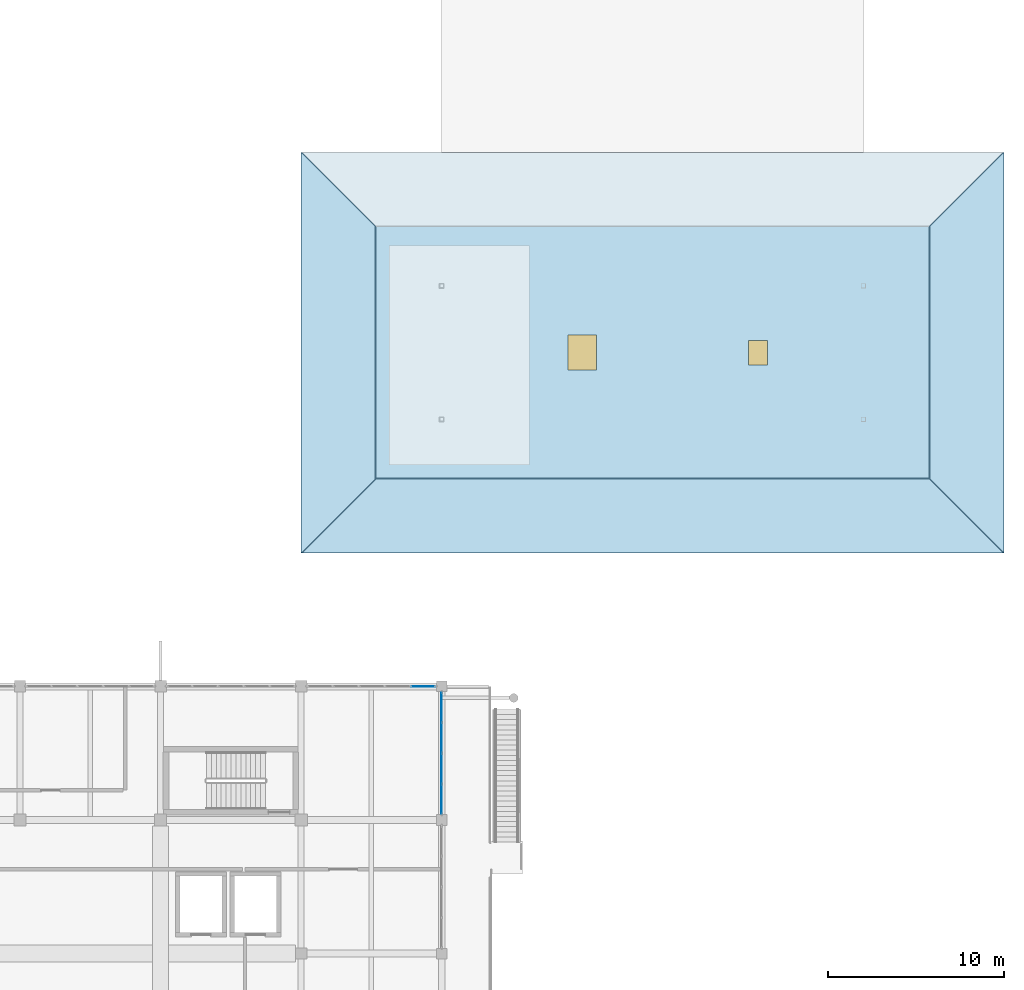
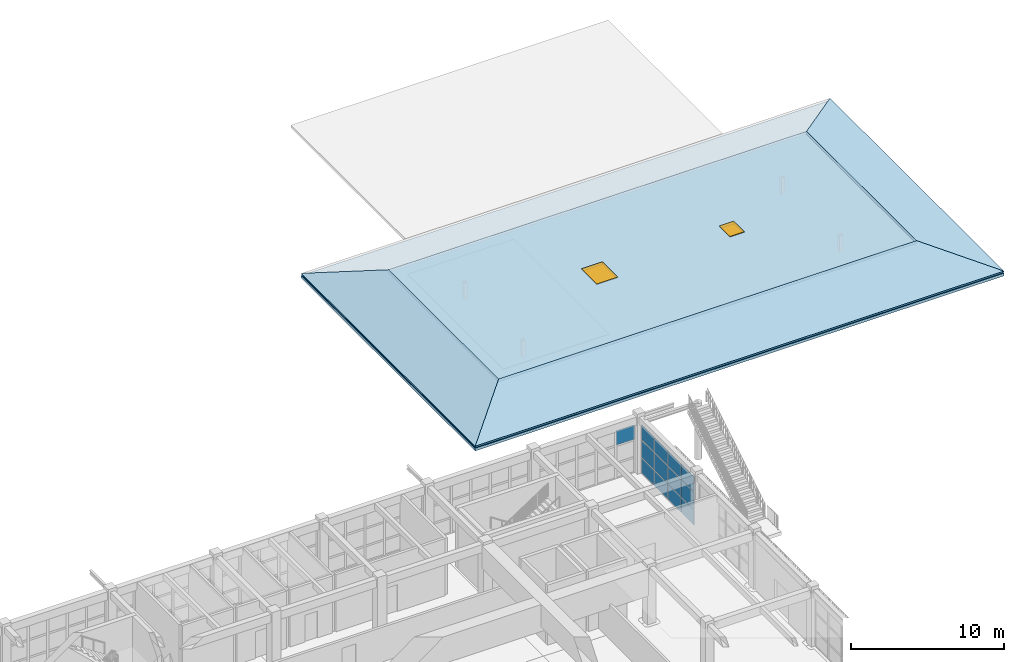
# One storey, part 34 of 50: 13 plates, 5 slabs, 1 door, 1 window, 2 openings, 3 elements without a shape of their own.
"""IFC4 building model written with IfcOpenShell, lengths in metres."""

from ifc_helpers import new_model, si_unit, direction, frame, origin, origin_2d, place, context, subcontext, project, spatial, polyline, rectangle, outline, extrude, material, layer, layer_set, type_object, element, fill, aggregate, save


model = new_model("IFC4")

# Units and contexts
model_context = context("Model", 3, precision=1e-05, world=origin(), true_north=direction((0.0, 1.0)))
body_context = subcontext(model_context, "Body", "Model", "MODEL_VIEW")
ifc_project = project(units=[si_unit("LENGTHUNIT", "METRE"), si_unit("AREAUNIT", "SQUARE_METRE"), si_unit("VOLUMEUNIT", "CUBIC_METRE"), si_unit("PLANEANGLEUNIT", "RADIAN"), si_unit("MASSUNIT", "GRAM", prefix="KILO")], contexts=[model_context])

# Site, building, storey
site_placement = place(None, origin())
site = spatial("IfcSite", under=ifc_project, at=site_placement, CompositionType="ELEMENT")
building_placement = place(site_placement, origin())
building = spatial("IfcBuilding", under=site, at=building_placement, Name="Zantavel Square City Hall", CompositionType="ELEMENT")
storey_placement = place(building_placement, frame((0.0, 0.0, 18.89990234375)))
storey = spatial("IfcBuildingStorey", under=building, at=storey_placement, Name="L05", CompositionType="ELEMENT", Elevation=18.89990234375)

# Roof, slab, openings, window, door
ifc_material_1 = material(Name="Patinated copper-zinc standing seam", Category="aluminium")
roof_type = type_object("IfcRoofType", Name="Copper-Zinc Mansard Roof Assembly", PredefinedType="MANSARD_ROOF", material=ifc_material_1)
roof_placement = place(storey_placement, origin())
roof = element("IfcRoof", 1, at=roof_placement, inside=storey, type_object=roof_type, Name="L05 Copper-Zinc Mansard Roof ROOF-V4-MANSARD", PredefinedType="MANSARD_ROOF")
ifc_material_2 = material(Name="Concrete C35/45", Category="concrete")
ifc_layer_1 = layer(ifc_material_2, 0.219970703125, Name="Concrete C35/45")
ifc_layer_set_1 = layer_set([ifc_layer_1], Name="Concrete C35/45")
slab_type_1 = type_object("IfcSlabType", Name="Insulated Flat Roof Slab 220mm C35/45", PredefinedType="ROOF", material=ifc_layer_set_1)
slab_1_placement = place(storey_placement, frame((0.0, 0.0, 1.29296875)))
slab_1 = element("IfcSlab", 2, at=slab_1_placement, type_object=slab_type_1, Name="ROOF-V4-MANSARD Mansard Crown Roof Slab", PredefinedType="ROOF", context=body_context, shape_type="SweptSolid", body=[
    extrude(outline(polyline([(108.179931640625, 80.179931640625), (139.820068359375, 80.179931640625), (139.820068359375, 94.6201171875), (108.179931640625, 94.6201171875), (108.179931640625, 80.179931640625)])), origin(), (0.0, 0.0, 1.0), 0.219970703125),
])
opening_1_placement = place(slab_1_placement, frame((120.0, 87.39990234375, 0.0)))
opening_1 = element("IfcOpeningElement", 3, at=opening_1_placement, cuts=slab_1, Name="Opening SK-07", PredefinedType="OPENING", context=body_context, shape_type="SweptSolid", body=[
    extrude(rectangle(XDim=1.60009765625, YDim=2.0, at=origin_2d()), frame((0.0, 0.0, -0.02001953125)), (0.0, 0.0, 1.0), 0.260009765625),
])
opening_2_placement = place(slab_1_placement, frame((130.0, 87.39990234375, 0.0)))
opening_2 = element("IfcOpeningElement", 4, at=opening_2_placement, cuts=slab_1, Name="Opening RH-05", PredefinedType="OPENING", context=body_context, shape_type="SweptSolid", body=[
    extrude(rectangle(XDim=1.10009765625, YDim=1.39990234375, at=origin_2d()), frame((0.0, 0.0, -0.02001953125)), (0.0, 0.0, 1.0), 0.284912109375),
])
ifc_material_3 = material(Name="Tempered safety glass low-E double glazing", Category="glass")
window_type = type_object("IfcWindowType", Name="Skylight Mansard Crown 1600x2000", PartitioningType="SINGLE_PANEL", PredefinedType="SKYLIGHT", material=ifc_material_3)
window_placement = place(opening_1_placement, frame((0.0, 0.0, 0.169921875)))
window = element("IfcWindow", 5, at=window_placement, inside=storey, type_object=window_type, Name="L05 Roof Skylight SK-07", OverallHeight=2.0, OverallWidth=1.60009765625, PartitioningType="SINGLE_PANEL", PredefinedType="SKYLIGHT", context=body_context, shape_type="SweptSolid", body=[
    extrude(rectangle(XDim=1.60009765625, YDim=2.0, at=origin_2d()), origin(), (0.0, 0.0, 1.0), 0.050048828125),
])
fill(opening_1, window)
ifc_material_4 = material(Name="Anodised aluminium 6063-T6", Category="aluminium")
door_type = type_object("IfcDoorType", Name="Smoke Vent & Roof Inspection Hatch 1100x1400", OperationType="NOTDEFINED", PredefinedType="TRAPDOOR", material=ifc_material_4)
door_placement = place(opening_2_placement, frame((0.0, 0.0, 0.19482421875)))
door = element("IfcDoor", 6, at=door_placement, inside=storey, type_object=door_type, Name="L05 Roof Maintenance Hatch RH-05", OperationType="SINGLE_SWING_LEFT", OverallHeight=1.39990234375, OverallWidth=1.10009765625, PredefinedType="TRAPDOOR", context=body_context, shape_type="SweptSolid", body=[
    extrude(rectangle(XDim=1.10009765625, YDim=1.39990234375, at=origin_2d()), origin(), (0.0, 0.0, 1.0), 0.050048828125),
])
fill(opening_2, door)

# Slab
slab_2_placement = place(storey_placement, frame((0.0, 0.0, -0.219970703125)))
element("IfcSlab", 7, at=slab_2_placement, inside=storey, type_object=slab_type_1, Name="L05 Insulated Flat Roof Slab SLB-ROOF-V4-MANSARD-BASE1-1", PredefinedType="ROOF", context=body_context, shape_type="SweptSolid", body=[
    extrude(outline(polyline([(104.0, 76.0), (104.0, 98.800048828125), (144.0, 98.800048828125), (144.0, 76.0), (104.0, 76.0)])), origin(), (0.0, 0.0, 1.0), 0.219970703125),
])

# Curtain wall, plate
curtain_wall_type_1 = type_object("IfcCurtainWallType", Name="Curtain Wall TRV1 7375x3870", PredefinedType="USERDEFINED", material=ifc_material_4)
curtain_wall_1_placement = place(storey_placement, origin())
curtain_wall_1 = element("IfcCurtainWall", 8, at=curtain_wall_1_placement, inside=storey, type_object=curtain_wall_type_1, Name="L05 Glazed Curtain Wall CW-L05-128", ObjectType="GLAZED CURTAIN WALL", PredefinedType="USERDEFINED")
ifc_layer_2 = layer(ifc_material_3, 0.028076171875, Name="Tempered safety glass low-E double glazing")
ifc_layer_set_2 = layer_set([ifc_layer_2], Name="Tempered safety glass low-E double glazing")
plate_type_1 = type_object("IfcPlateType", Name="Low-E Curtain Glazing Panel 1475x1290x28", PredefinedType="CURTAIN_PANEL", material=ifc_layer_set_2)
plate_1_placement = place(storey_placement, frame((110.947509765625, 68.39990234375, 2.662109375), z_axis=(0.0, 0.0, 1.0), x_axis=(1.0, 0.0, 0.0)))
plate_1 = element("IfcPlate", 9, at=plate_1_placement, type_object=plate_type_1, Name="CW-128 panel 5.3", PredefinedType="CURTAIN_PANEL", context=body_context, shape_type="SweptSolid", body=[
    extrude(rectangle(XDim=1.385009765625, YDim=0.028076171875, at=origin_2d()), origin(), (0.0, 0.0, 1.0), 1.14794921875),
])
aggregate(curtain_wall_1, [plate_1])

# Curtain wall, plates
curtain_wall_type_2 = type_object("IfcCurtainWallType", Name="Curtain Wall TRV1 7000x3970", PredefinedType="USERDEFINED", material=ifc_material_4)
curtain_wall_2_placement = place(storey_placement, origin())
curtain_wall_2 = element("IfcCurtainWall", 10, at=curtain_wall_2_placement, inside=storey, type_object=curtain_wall_type_2, Name="L05 Glazed Curtain Wall CW-L05-129", ObjectType="GLAZED CURTAIN WALL", PredefinedType="USERDEFINED")
ifc_layer_3 = layer(ifc_material_3, 0.028076171875, Name="Tempered safety glass low-E double glazing")
ifc_layer_set_3 = layer_set([ifc_layer_3], Name="Tempered safety glass low-E double glazing")
plate_type_2 = type_object("IfcPlateType", Name="Low-E Curtain Glazing Panel 1750x1323x28", PredefinedType="CURTAIN_PANEL", material=ifc_layer_set_3)
plate_2_placement = place(storey_placement, frame((112.0, 67.2099609375, 0.06005859375), z_axis=(0.0, 0.0, 1.0), x_axis=(0.0, -1.0, 0.0)))
plate_2 = element("IfcPlate", 11, at=plate_2_placement, type_object=plate_type_2, Name="CW-129 panel 1.1", PredefinedType="CURTAIN_PANEL", context=body_context, shape_type="SweptSolid", body=[
    extrude(rectangle(XDim=1.659912109375, YDim=0.028076171875, at=origin_2d()), origin(), (0.0, 0.0, 1.0), 1.179931640625),
])
plate_3_placement = place(storey_placement, frame((112.0, 67.2099609375, 1.300048828125), z_axis=(0.0, 0.0, 1.0), x_axis=(0.0, -1.0, 0.0)))
plate_3 = element("IfcPlate", 12, at=plate_3_placement, type_object=plate_type_2, Name="CW-129 panel 1.2", PredefinedType="CURTAIN_PANEL", context=body_context, shape_type="SweptSolid", body=[
    extrude(rectangle(XDim=1.659912109375, YDim=0.028076171875, at=origin_2d()), origin(), (0.0, 0.0, 1.0), 1.3701171875),
])
plate_4_placement = place(storey_placement, frame((112.0, 67.2099609375, 2.72998046875), z_axis=(0.0, 0.0, 1.0), x_axis=(0.0, -1.0, 0.0)))
plate_4 = element("IfcPlate", 13, at=plate_4_placement, type_object=plate_type_2, Name="CW-129 panel 1.3", PredefinedType="CURTAIN_PANEL", context=body_context, shape_type="SweptSolid", body=[
    extrude(rectangle(XDim=1.659912109375, YDim=0.028076171875, at=origin_2d()), origin(), (0.0, 0.0, 1.0), 1.179931640625),
])
plate_5_placement = place(storey_placement, frame((112.0, 65.47509765625, 0.06005859375), z_axis=(0.0, 0.0, 1.0), x_axis=(0.0, -1.0, 0.0)))
plate_5 = element("IfcPlate", 14, at=plate_5_placement, type_object=plate_type_2, Name="CW-129 panel 2.1", PredefinedType="CURTAIN_PANEL", context=body_context, shape_type="SweptSolid", body=[
    extrude(rectangle(XDim=1.68994140625, YDim=0.028076171875, at=origin_2d()), origin(), (0.0, 0.0, 1.0), 1.179931640625),
])
plate_6_placement = place(storey_placement, frame((112.0, 65.47509765625, 1.300048828125), z_axis=(0.0, 0.0, 1.0), x_axis=(0.0, -1.0, 0.0)))
plate_6 = element("IfcPlate", 15, at=plate_6_placement, type_object=plate_type_2, Name="CW-129 panel 2.2", PredefinedType="CURTAIN_PANEL", context=body_context, shape_type="SweptSolid", body=[
    extrude(rectangle(XDim=1.68994140625, YDim=0.028076171875, at=origin_2d()), origin(), (0.0, 0.0, 1.0), 1.3701171875),
])
plate_7_placement = place(storey_placement, frame((112.0, 65.47509765625, 2.72998046875), z_axis=(0.0, 0.0, 1.0), x_axis=(0.0, -1.0, 0.0)))
plate_7 = element("IfcPlate", 16, at=plate_7_placement, type_object=plate_type_2, Name="CW-129 panel 2.3", PredefinedType="CURTAIN_PANEL", context=body_context, shape_type="SweptSolid", body=[
    extrude(rectangle(XDim=1.68994140625, YDim=0.028076171875, at=origin_2d()), origin(), (0.0, 0.0, 1.0), 1.179931640625),
])
plate_8_placement = place(storey_placement, frame((112.0, 63.72509765625, 0.06005859375), z_axis=(0.0, 0.0, 1.0), x_axis=(0.0, -1.0, 0.0)))
plate_8 = element("IfcPlate", 17, at=plate_8_placement, type_object=plate_type_2, Name="CW-129 panel 3.1", PredefinedType="CURTAIN_PANEL", context=body_context, shape_type="SweptSolid", body=[
    extrude(rectangle(XDim=1.68994140625, YDim=0.028076171875, at=origin_2d()), origin(), (0.0, 0.0, 1.0), 1.179931640625),
])
plate_9_placement = place(storey_placement, frame((112.0, 63.72509765625, 1.300048828125), z_axis=(0.0, 0.0, 1.0), x_axis=(0.0, -1.0, 0.0)))
plate_9 = element("IfcPlate", 18, at=plate_9_placement, type_object=plate_type_2, Name="CW-129 panel 3.2", PredefinedType="CURTAIN_PANEL", context=body_context, shape_type="SweptSolid", body=[
    extrude(rectangle(XDim=1.68994140625, YDim=0.028076171875, at=origin_2d()), origin(), (0.0, 0.0, 1.0), 1.3701171875),
])
plate_10_placement = place(storey_placement, frame((112.0, 63.72509765625, 2.72998046875), z_axis=(0.0, 0.0, 1.0), x_axis=(0.0, -1.0, 0.0)))
plate_10 = element("IfcPlate", 19, at=plate_10_placement, type_object=plate_type_2, Name="CW-129 panel 3.3", PredefinedType="CURTAIN_PANEL", context=body_context, shape_type="SweptSolid", body=[
    extrude(rectangle(XDim=1.68994140625, YDim=0.028076171875, at=origin_2d()), origin(), (0.0, 0.0, 1.0), 1.179931640625),
])
plate_11_placement = place(storey_placement, frame((112.0, 61.989990234375, 0.06005859375), z_axis=(0.0, 0.0, 1.0), x_axis=(0.0, -1.0, 0.0)))
plate_11 = element("IfcPlate", 20, at=plate_11_placement, type_object=plate_type_2, Name="CW-129 panel 4.1", PredefinedType="CURTAIN_PANEL", context=body_context, shape_type="SweptSolid", body=[
    extrude(rectangle(XDim=1.659912109375, YDim=0.028076171875, at=origin_2d()), origin(), (0.0, 0.0, 1.0), 1.179931640625),
])
plate_12_placement = place(storey_placement, frame((112.0, 61.989990234375, 1.300048828125), z_axis=(0.0, 0.0, 1.0), x_axis=(0.0, -1.0, 0.0)))
plate_12 = element("IfcPlate", 21, at=plate_12_placement, type_object=plate_type_2, Name="CW-129 panel 4.2", PredefinedType="CURTAIN_PANEL", context=body_context, shape_type="SweptSolid", body=[
    extrude(rectangle(XDim=1.659912109375, YDim=0.028076171875, at=origin_2d()), origin(), (0.0, 0.0, 1.0), 1.3701171875),
])
plate_13_placement = place(storey_placement, frame((112.0, 61.989990234375, 2.72998046875), z_axis=(0.0, 0.0, 1.0), x_axis=(0.0, -1.0, 0.0)))
plate_13 = element("IfcPlate", 22, at=plate_13_placement, type_object=plate_type_2, Name="CW-129 panel 4.3", PredefinedType="CURTAIN_PANEL", context=body_context, shape_type="SweptSolid", body=[
    extrude(rectangle(XDim=1.659912109375, YDim=0.028076171875, at=origin_2d()), origin(), (0.0, 0.0, 1.0), 1.179931640625),
])
aggregate(curtain_wall_2, [plate_2, plate_3, plate_4, plate_5, plate_6, plate_7, plate_8, plate_9, plate_10, plate_11, plate_12, plate_13])

# Slab
ifc_layer_4 = layer(ifc_material_2, 0.179931640625, Name="Concrete C35/45")
ifc_layer_set_4 = layer_set([ifc_layer_4], Name="Concrete C35/45")
slab_type_2 = type_object("IfcSlabType", Name="Mansard Sloped Roof Deck 180mm C35/45", PredefinedType="ROOF", material=ifc_layer_set_4)
slab_3_placement = place(storey_placement, frame((104.0, 76.0, 0.163330078125), z_axis=(0.0, -0.309037319544, 0.951049912007), x_axis=(1.0, 0.0, 0.0)))
slab_3 = element("IfcSlab", 23, at=slab_3_placement, type_object=slab_type_2, Name="ROOF-V4-MANSARD Sloped Mansard Skirt S", PredefinedType="ROOF", context=body_context, shape_type="SweptSolid", body=[
    extrude(outline(polyline([(0.0, 0.0), (40.0, 0.0), (35.800048828125, 4.416120667117246), (4.199951171875, 4.416120667117246), (0.0, 0.0)])), origin(), (0.0, 0.0, -1.0), 0.179931640625),
])

slab_4_placement = place(storey_placement, frame((104.0, 98.800048828125, 0.163330078125), z_axis=(-0.309037319544, 0.0, 0.951049912007), x_axis=(0.0, -1.0, 0.0)))
slab_4 = element("IfcSlab", 24, at=slab_4_placement, type_object=slab_type_2, Name="ROOF-V4-MANSARD Sloped Mansard Skirt W", PredefinedType="ROOF", context=body_context, shape_type="SweptSolid", body=[
    extrude(outline(polyline([(0.0, 0.0), (22.800048828125, 0.0), (18.60009765625, 4.416120667117246), (4.199951171875, 4.416120667117246), (0.0, 0.0)])), origin(), (0.0, 0.0, -1.0), 0.179931640625),
])

slab_5_placement = place(storey_placement, frame((144.0, 76.0, 0.163330078125), z_axis=(0.309037319544, 0.0, 0.951049912007), x_axis=(0.0, 1.0, 0.0)))
slab_5 = element("IfcSlab", 25, at=slab_5_placement, type_object=slab_type_2, Name="ROOF-V4-MANSARD Sloped Mansard Skirt E", PredefinedType="ROOF", context=body_context, shape_type="SweptSolid", body=[
    extrude(outline(polyline([(0.0, 0.0), (22.800048828125, 0.0), (18.60009765625, 4.416120667117246), (4.199951171875, 4.416120667117246), (0.0, 0.0)])), origin(), (0.0, 0.0, -1.0), 0.179931640625),
])

aggregate(roof, [slab_3, slab_4, slab_5, slab_1])

save(model, "model.ifc")
